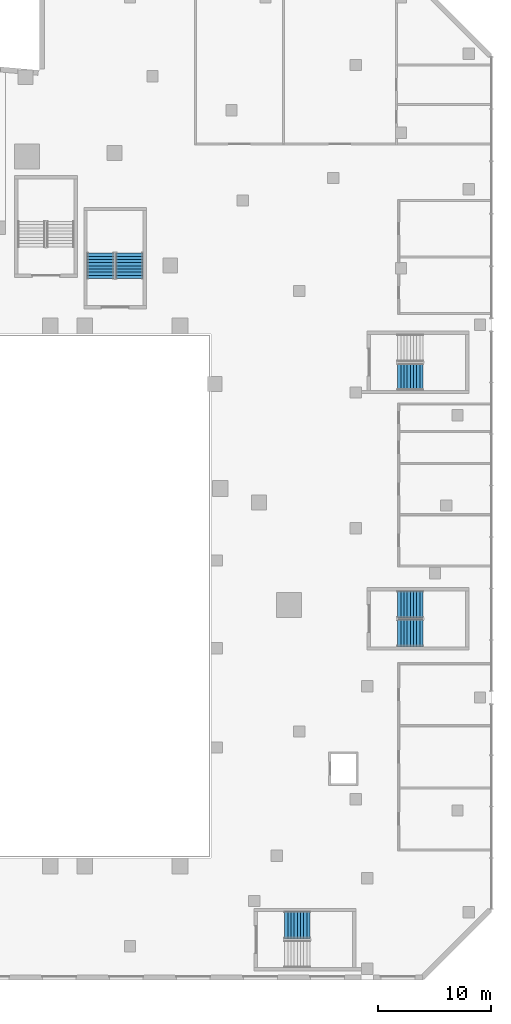
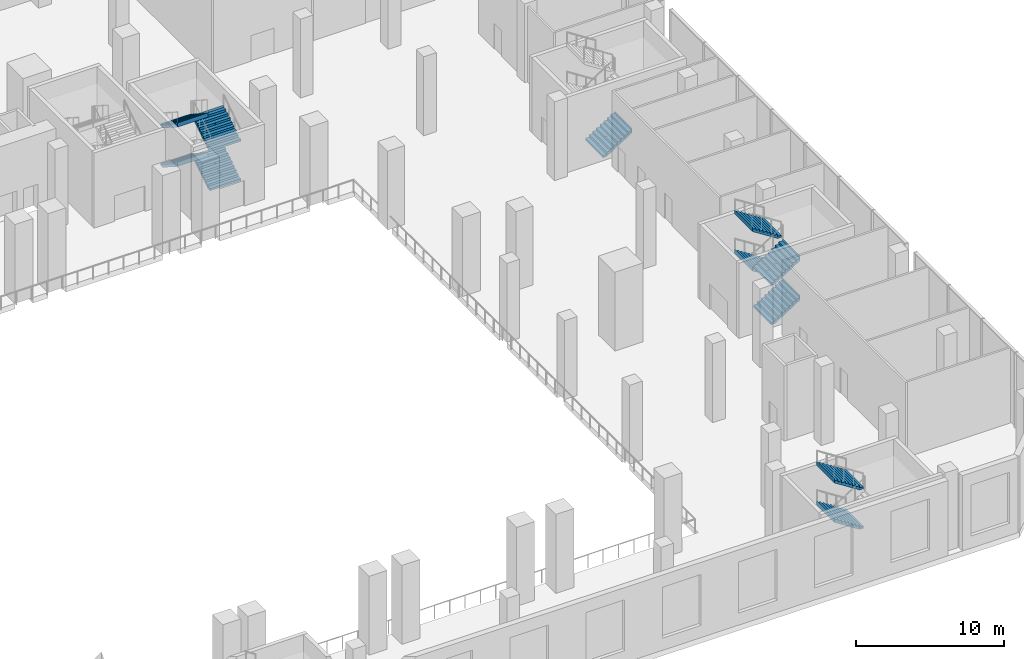
# One storey, part 20 of 30: 11 stair flights, 4 elements without a shape of their own.
"""IFC4 building model written with IfcOpenShell, lengths in metres."""

from ifc_helpers import new_model, si_unit, direction, frame, origin, place, context, subcontext, project, spatial, polyline, outline, extrude, material, type_object, element, aggregate, save


model = new_model("IFC4")

# Units and contexts
model_context = context("Model", 3, precision=1e-05, world=origin(), true_north=direction((0.0, 1.0)))
body_context = subcontext(model_context, "Body", "Model", "MODEL_VIEW")
ifc_project = project(units=[si_unit("LENGTHUNIT", "METRE"), si_unit("AREAUNIT", "SQUARE_METRE"), si_unit("VOLUMEUNIT", "CUBIC_METRE"), si_unit("PLANEANGLEUNIT", "RADIAN"), si_unit("MASSUNIT", "GRAM", prefix="KILO")], contexts=[model_context])

# Site, building, storey
site_placement = place(None, origin())
site = spatial("IfcSite", under=ifc_project, at=site_placement, CompositionType="ELEMENT")
building_placement = place(site_placement, origin())
building = spatial("IfcBuilding", under=site, at=building_placement, Name="Wharfspan Tower", CompositionType="ELEMENT")
storey_placement = place(building_placement, frame((0.0, 0.0, 15.0)))
storey = spatial("IfcBuildingStorey", under=building, at=storey_placement, Name="L02", CompositionType="ELEMENT", Elevation=15.0)

# Stair, stair flights
ifc_material = material(Name="Concrete C40/50", Category="concrete")
stair_type = type_object("IfcStairType", Name="Half-turn stair 2400 wide 36 risers 181 mm", PredefinedType="HALF_TURN_STAIR", material=ifc_material)
stair_1_placement = place(storey_placement, origin())
stair_1 = element("IfcStair", 1, at=stair_1_placement, inside=storey, type_object=stair_type, Name="L02 stair AS2", PredefinedType="HALF_TURN_STAIR")
stair_flight_type = type_object("IfcStairFlightType", Name="Stair flight 2400 wide 36 risers 181 mm", PredefinedType="STRAIGHT", material=ifc_material)
stair_flight_1_placement = place(storey_placement, frame((91.939941, -27.149902, 1.625), z_axis=(0.0, 0.0, 1.0), x_axis=(-1.0, 0.0, 0.0)))
stair_flight_1 = element("IfcStairFlight", 2, at=stair_flight_1_placement, type_object=stair_flight_type, Name="AS2 flight 2", NumberOfRisers=9, NumberOfTreads=8, PredefinedType="STRAIGHT", RiserHeight=0.180556, TreadLength=0.28, context=body_context, shape_type="SweptSolid", body=[
    extrude(outline(polyline([(-0.011963, 0.0), (-0.011963, 0.180664), (0.0, 0.180664), (0.280029, 0.180664), (0.280029, 0.361084), (0.560059, 0.361084), (0.560059, 0.541748), (0.840088, 0.541748), (0.840088, 0.722168), (1.120117, 0.722168), (1.120117, 0.902832), (1.399902, 0.902832), (1.399902, 1.083252), (1.679932, 1.083252), (1.679932, 1.263916), (1.959961, 1.263916), (1.959961, 1.444336), (2.23999, 1.444336), (2.251953, 1.625), (2.251953, 1.266113), (0.276611, 0.0), (-0.011963, 0.0)])), frame((0.0, 1.199951, 0.0), z_axis=(0.0, -1.0, 0.0), x_axis=(1.0, 0.0, 0.0)), (0.0, 0.0, 1.0), 1.179443),
    extrude(outline(polyline([(-0.011963, 0.0), (-0.011963, 0.180664), (0.0, 0.180664), (0.280029, 0.180664), (0.280029, 0.361084), (0.560059, 0.361084), (0.560059, 0.541748), (0.840088, 0.541748), (0.840088, 0.722168), (1.120117, 0.722168), (1.120117, 0.902832), (1.399902, 0.902832), (1.399902, 1.083252), (1.679932, 1.083252), (1.679932, 1.263916), (1.959961, 1.263916), (1.959961, 1.444336), (2.23999, 1.444336), (2.251953, 1.625), (2.251953, 1.266113), (0.276611, 0.0), (-0.011963, 0.0)])), frame((0.0, 0.019531, 0.0), z_axis=(0.0, -1.0, 0.0), x_axis=(1.0, 0.0, 0.0)), (0.0, 0.0, 1.0), 0.019043),
    extrude(outline(polyline([(-0.011963, 0.0), (-0.011963, 0.180664), (0.0, 0.180664), (0.280029, 0.180664), (0.280029, 0.361084), (0.560059, 0.361084), (0.560059, 0.541748), (0.840088, 0.541748), (0.840088, 0.722168), (1.120117, 0.722168), (1.120117, 0.902832), (1.399902, 0.902832), (1.399902, 1.083252), (1.679932, 1.083252), (1.679932, 1.263916), (1.959961, 1.263916), (1.959961, 1.444336), (2.23999, 1.444336), (2.251953, 1.625), (2.251953, 1.266113), (0.276611, 0.0), (-0.011963, 0.0)])), frame((0.0, -0.000488, 0.0), z_axis=(0.0, -1.0, 0.0), x_axis=(1.0, 0.0, 0.0)), (0.0, 0.0, 1.0), 0.019043),
    extrude(outline(polyline([(-0.011963, 0.0), (-0.011963, 0.180664), (0.0, 0.180664), (0.280029, 0.180664), (0.280029, 0.361084), (0.560059, 0.361084), (0.560059, 0.541748), (0.840088, 0.541748), (0.840088, 0.722168), (1.120117, 0.722168), (1.120117, 0.902832), (1.399902, 0.902832), (1.399902, 1.083252), (1.679932, 1.083252), (1.679932, 1.263916), (1.959961, 1.263916), (1.959961, 1.444336), (2.23999, 1.444336), (2.251953, 1.625), (2.251953, 1.266113), (0.276611, 0.0), (-0.011963, 0.0)])), frame((0.0, -0.020508, 0.0), z_axis=(0.0, -1.0, 0.0), x_axis=(1.0, 0.0, 0.0)), (0.0, 0.0, 1.0), 1.179443),
])
stair_flight_2_placement = place(storey_placement, frame((91.939941, -27.149902, 4.875), z_axis=(0.0, 0.0, 1.0), x_axis=(-1.0, 0.0, 0.0)))
stair_flight_2 = element("IfcStairFlight", 3, at=stair_flight_2_placement, type_object=stair_flight_type, Name="AS2 flight 4", NumberOfRisers=9, NumberOfTreads=8, PredefinedType="STRAIGHT", RiserHeight=0.180556, TreadLength=0.28, context=body_context, shape_type="SweptSolid", body=[
    extrude(outline(polyline([(-0.011963, 0.0), (-0.011963, 0.180664), (0.0, 0.180664), (0.280029, 0.180664), (0.280029, 0.361084), (0.560059, 0.361084), (0.560059, 0.541748), (0.840088, 0.541748), (0.840088, 0.722168), (1.120117, 0.722168), (1.120117, 0.902832), (1.399902, 0.902832), (1.399902, 1.083252), (1.679932, 1.083252), (1.679932, 1.263916), (1.959961, 1.263916), (1.959961, 1.444336), (2.23999, 1.444336), (2.251953, 1.625), (2.251953, 1.266113), (0.276611, 0.0), (-0.011963, 0.0)])), frame((0.0, 1.199951, 0.0), z_axis=(0.0, -1.0, 0.0), x_axis=(1.0, 0.0, 0.0)), (0.0, 0.0, 1.0), 1.179443),
    extrude(outline(polyline([(-0.011963, 0.0), (-0.011963, 0.180664), (0.0, 0.180664), (0.280029, 0.180664), (0.280029, 0.361084), (0.560059, 0.361084), (0.560059, 0.541748), (0.840088, 0.541748), (0.840088, 0.722168), (1.120117, 0.722168), (1.120117, 0.902832), (1.399902, 0.902832), (1.399902, 1.083252), (1.679932, 1.083252), (1.679932, 1.263916), (1.959961, 1.263916), (1.959961, 1.444336), (2.23999, 1.444336), (2.251953, 1.625), (2.251953, 1.266113), (0.276611, 0.0), (-0.011963, 0.0)])), frame((0.0, 0.019531, 0.0), z_axis=(0.0, -1.0, 0.0), x_axis=(1.0, 0.0, 0.0)), (0.0, 0.0, 1.0), 0.019043),
    extrude(outline(polyline([(-0.011963, 0.0), (-0.011963, 0.180664), (0.0, 0.180664), (0.280029, 0.180664), (0.280029, 0.361084), (0.560059, 0.361084), (0.560059, 0.541748), (0.840088, 0.541748), (0.840088, 0.722168), (1.120117, 0.722168), (1.120117, 0.902832), (1.399902, 0.902832), (1.399902, 1.083252), (1.679932, 1.083252), (1.679932, 1.263916), (1.959961, 1.263916), (1.959961, 1.444336), (2.23999, 1.444336), (2.251953, 1.625), (2.251953, 1.266113), (0.276611, 0.0), (-0.011963, 0.0)])), frame((0.0, -0.000488, 0.0), z_axis=(0.0, -1.0, 0.0), x_axis=(1.0, 0.0, 0.0)), (0.0, 0.0, 1.0), 0.019043),
    extrude(outline(polyline([(-0.011963, 0.0), (-0.011963, 0.180664), (0.0, 0.180664), (0.280029, 0.180664), (0.280029, 0.361084), (0.560059, 0.361084), (0.560059, 0.541748), (0.840088, 0.541748), (0.840088, 0.722168), (1.120117, 0.722168), (1.120117, 0.902832), (1.399902, 0.902832), (1.399902, 1.083252), (1.679932, 1.083252), (1.679932, 1.263916), (1.959961, 1.263916), (1.959961, 1.444336), (2.23999, 1.444336), (2.251953, 1.625), (2.251953, 1.266113), (0.276611, 0.0), (-0.011963, 0.0)])), frame((0.0, -0.020508, 0.0), z_axis=(0.0, -1.0, 0.0), x_axis=(1.0, 0.0, 0.0)), (0.0, 0.0, 1.0), 1.179443),
])
aggregate(stair_1, [stair_flight_1, stair_flight_2])

stair_2_placement = place(storey_placement, origin())
stair_2 = element("IfcStair", 4, at=stair_2_placement, inside=storey, type_object=stair_type, Name="L02 stair AS8", PredefinedType="HALF_TURN_STAIR")
stair_flight_3_placement = place(storey_placement, frame((99.699951, -1.300049, 0.0), z_axis=(0.0, 0.0, 1.0), x_axis=(1.0, 0.0, 0.0)))
stair_flight_3 = element("IfcStairFlight", 5, at=stair_flight_3_placement, type_object=stair_flight_type, Name="AS8 flight 1", NumberOfRisers=9, NumberOfTreads=8, PredefinedType="STRAIGHT", RiserHeight=0.180556, TreadLength=0.28, context=body_context, shape_type="SweptSolid", body=[
    extrude(outline(polyline([(-0.011963, 0.0), (-0.011963, 0.180664), (0.0, 0.180664), (0.280029, 0.180664), (0.280029, 0.361084), (0.560059, 0.361084), (0.560059, 0.541748), (0.840088, 0.541748), (0.840088, 0.722168), (1.120117, 0.722168), (1.120117, 0.902832), (1.399902, 0.902832), (1.399902, 1.083252), (1.679932, 1.083252), (1.679932, 1.263916), (1.959961, 1.263916), (1.959961, 1.444336), (2.23999, 1.444336), (2.251953, 1.625), (2.251953, 1.266113), (0.276611, 0.0), (-0.011963, 0.0)])), frame((0.0, 1.199951, 0.0), z_axis=(0.0, -1.0, 0.0), x_axis=(1.0, 0.0, 0.0)), (0.0, 0.0, 1.0), 1.179443),
    extrude(outline(polyline([(-0.011963, 0.0), (-0.011963, 0.180664), (0.0, 0.180664), (0.280029, 0.180664), (0.280029, 0.361084), (0.560059, 0.361084), (0.560059, 0.541748), (0.840088, 0.541748), (0.840088, 0.722168), (1.120117, 0.722168), (1.120117, 0.902832), (1.399902, 0.902832), (1.399902, 1.083252), (1.679932, 1.083252), (1.679932, 1.263916), (1.959961, 1.263916), (1.959961, 1.444336), (2.23999, 1.444336), (2.251953, 1.625), (2.251953, 1.266113), (0.276611, 0.0), (-0.011963, 0.0)])), frame((0.0, 0.019531, 0.0), z_axis=(0.0, -1.0, 0.0), x_axis=(1.0, 0.0, 0.0)), (0.0, 0.0, 1.0), 0.019043),
    extrude(outline(polyline([(-0.011963, 0.0), (-0.011963, 0.180664), (0.0, 0.180664), (0.280029, 0.180664), (0.280029, 0.361084), (0.560059, 0.361084), (0.560059, 0.541748), (0.840088, 0.541748), (0.840088, 0.722168), (1.120117, 0.722168), (1.120117, 0.902832), (1.399902, 0.902832), (1.399902, 1.083252), (1.679932, 1.083252), (1.679932, 1.263916), (1.959961, 1.263916), (1.959961, 1.444336), (2.23999, 1.444336), (2.251953, 1.625), (2.251953, 1.266113), (0.276611, 0.0), (-0.011963, 0.0)])), frame((0.0, -0.000488, 0.0), z_axis=(0.0, -1.0, 0.0), x_axis=(1.0, 0.0, 0.0)), (0.0, 0.0, 1.0), 0.019043),
    extrude(outline(polyline([(-0.011963, 0.0), (-0.011963, 0.180664), (0.0, 0.180664), (0.280029, 0.180664), (0.280029, 0.361084), (0.560059, 0.361084), (0.560059, 0.541748), (0.840088, 0.541748), (0.840088, 0.722168), (1.120117, 0.722168), (1.120117, 0.902832), (1.399902, 0.902832), (1.399902, 1.083252), (1.679932, 1.083252), (1.679932, 1.263916), (1.959961, 1.263916), (1.959961, 1.444336), (2.23999, 1.444336), (2.251953, 1.625), (2.251953, 1.266113), (0.276611, 0.0), (-0.011963, 0.0)])), frame((0.0, -0.020508, 0.0), z_axis=(0.0, -1.0, 0.0), x_axis=(1.0, 0.0, 0.0)), (0.0, 0.0, 1.0), 1.179443),
])
stair_flight_4_placement = place(storey_placement, frame((101.939941, 1.25, 1.625), z_axis=(0.0, 0.0, 1.0), x_axis=(-1.0, 0.0, 0.0)))
stair_flight_4 = element("IfcStairFlight", 6, at=stair_flight_4_placement, type_object=stair_flight_type, Name="AS8 flight 2", NumberOfRisers=9, NumberOfTreads=8, PredefinedType="STRAIGHT", RiserHeight=0.180556, TreadLength=0.28, context=body_context, shape_type="SweptSolid", body=[
    extrude(outline(polyline([(-0.011963, 0.0), (-0.011963, 0.180664), (0.0, 0.180664), (0.280029, 0.180664), (0.280029, 0.361084), (0.560059, 0.361084), (0.560059, 0.541748), (0.840088, 0.541748), (0.840088, 0.722168), (1.120117, 0.722168), (1.120117, 0.902832), (1.399902, 0.902832), (1.399902, 1.083252), (1.679932, 1.083252), (1.679932, 1.263916), (1.959961, 1.263916), (1.959961, 1.444336), (2.23999, 1.444336), (2.251953, 1.625), (2.251953, 1.266113), (0.276611, 0.0), (-0.011963, 0.0)])), frame((0.0, 1.199951, 0.0), z_axis=(0.0, -1.0, 0.0), x_axis=(1.0, 0.0, 0.0)), (0.0, 0.0, 1.0), 1.179443),
    extrude(outline(polyline([(-0.011963, 0.0), (-0.011963, 0.180664), (0.0, 0.180664), (0.280029, 0.180664), (0.280029, 0.361084), (0.560059, 0.361084), (0.560059, 0.541748), (0.840088, 0.541748), (0.840088, 0.722168), (1.120117, 0.722168), (1.120117, 0.902832), (1.399902, 0.902832), (1.399902, 1.083252), (1.679932, 1.083252), (1.679932, 1.263916), (1.959961, 1.263916), (1.959961, 1.444336), (2.23999, 1.444336), (2.251953, 1.625), (2.251953, 1.266113), (0.276611, 0.0), (-0.011963, 0.0)])), frame((0.0, 0.019531, 0.0), z_axis=(0.0, -1.0, 0.0), x_axis=(1.0, 0.0, 0.0)), (0.0, 0.0, 1.0), 0.019043),
    extrude(outline(polyline([(-0.011963, 0.0), (-0.011963, 0.180664), (0.0, 0.180664), (0.280029, 0.180664), (0.280029, 0.361084), (0.560059, 0.361084), (0.560059, 0.541748), (0.840088, 0.541748), (0.840088, 0.722168), (1.120117, 0.722168), (1.120117, 0.902832), (1.399902, 0.902832), (1.399902, 1.083252), (1.679932, 1.083252), (1.679932, 1.263916), (1.959961, 1.263916), (1.959961, 1.444336), (2.23999, 1.444336), (2.251953, 1.625), (2.251953, 1.266113), (0.276611, 0.0), (-0.011963, 0.0)])), frame((0.0, -0.000488, 0.0), z_axis=(0.0, -1.0, 0.0), x_axis=(1.0, 0.0, 0.0)), (0.0, 0.0, 1.0), 0.019043),
    extrude(outline(polyline([(-0.011963, 0.0), (-0.011963, 0.180664), (0.0, 0.180664), (0.280029, 0.180664), (0.280029, 0.361084), (0.560059, 0.361084), (0.560059, 0.541748), (0.840088, 0.541748), (0.840088, 0.722168), (1.120117, 0.722168), (1.120117, 0.902832), (1.399902, 0.902832), (1.399902, 1.083252), (1.679932, 1.083252), (1.679932, 1.263916), (1.959961, 1.263916), (1.959961, 1.444336), (2.23999, 1.444336), (2.251953, 1.625), (2.251953, 1.266113), (0.276611, 0.0), (-0.011963, 0.0)])), frame((0.0, -0.020508, 0.0), z_axis=(0.0, -1.0, 0.0), x_axis=(1.0, 0.0, 0.0)), (0.0, 0.0, 1.0), 1.179443),
])
stair_flight_5_placement = place(storey_placement, frame((99.699951, -1.300049, 3.25), z_axis=(0.0, 0.0, 1.0), x_axis=(1.0, 0.0, 0.0)))
stair_flight_5 = element("IfcStairFlight", 7, at=stair_flight_5_placement, type_object=stair_flight_type, Name="AS8 flight 3", NumberOfRisers=9, NumberOfTreads=8, PredefinedType="STRAIGHT", RiserHeight=0.180556, TreadLength=0.28, context=body_context, shape_type="SweptSolid", body=[
    extrude(outline(polyline([(-0.011963, 0.0), (-0.011963, 0.180664), (0.0, 0.180664), (0.280029, 0.180664), (0.280029, 0.361084), (0.560059, 0.361084), (0.560059, 0.541748), (0.840088, 0.541748), (0.840088, 0.722168), (1.120117, 0.722168), (1.120117, 0.902832), (1.399902, 0.902832), (1.399902, 1.083252), (1.679932, 1.083252), (1.679932, 1.263916), (1.959961, 1.263916), (1.959961, 1.444336), (2.23999, 1.444336), (2.251953, 1.625), (2.251953, 1.266113), (0.276611, 0.0), (-0.011963, 0.0)])), frame((0.0, 1.199951, 0.0), z_axis=(0.0, -1.0, 0.0), x_axis=(1.0, 0.0, 0.0)), (0.0, 0.0, 1.0), 1.179443),
    extrude(outline(polyline([(-0.011963, 0.0), (-0.011963, 0.180664), (0.0, 0.180664), (0.280029, 0.180664), (0.280029, 0.361084), (0.560059, 0.361084), (0.560059, 0.541748), (0.840088, 0.541748), (0.840088, 0.722168), (1.120117, 0.722168), (1.120117, 0.902832), (1.399902, 0.902832), (1.399902, 1.083252), (1.679932, 1.083252), (1.679932, 1.263916), (1.959961, 1.263916), (1.959961, 1.444336), (2.23999, 1.444336), (2.251953, 1.625), (2.251953, 1.266113), (0.276611, 0.0), (-0.011963, 0.0)])), frame((0.0, 0.019531, 0.0), z_axis=(0.0, -1.0, 0.0), x_axis=(1.0, 0.0, 0.0)), (0.0, 0.0, 1.0), 0.019043),
    extrude(outline(polyline([(-0.011963, 0.0), (-0.011963, 0.180664), (0.0, 0.180664), (0.280029, 0.180664), (0.280029, 0.361084), (0.560059, 0.361084), (0.560059, 0.541748), (0.840088, 0.541748), (0.840088, 0.722168), (1.120117, 0.722168), (1.120117, 0.902832), (1.399902, 0.902832), (1.399902, 1.083252), (1.679932, 1.083252), (1.679932, 1.263916), (1.959961, 1.263916), (1.959961, 1.444336), (2.23999, 1.444336), (2.251953, 1.625), (2.251953, 1.266113), (0.276611, 0.0), (-0.011963, 0.0)])), frame((0.0, -0.000488, 0.0), z_axis=(0.0, -1.0, 0.0), x_axis=(1.0, 0.0, 0.0)), (0.0, 0.0, 1.0), 0.019043),
    extrude(outline(polyline([(-0.011963, 0.0), (-0.011963, 0.180664), (0.0, 0.180664), (0.280029, 0.180664), (0.280029, 0.361084), (0.560059, 0.361084), (0.560059, 0.541748), (0.840088, 0.541748), (0.840088, 0.722168), (1.120117, 0.722168), (1.120117, 0.902832), (1.399902, 0.902832), (1.399902, 1.083252), (1.679932, 1.083252), (1.679932, 1.263916), (1.959961, 1.263916), (1.959961, 1.444336), (2.23999, 1.444336), (2.251953, 1.625), (2.251953, 1.266113), (0.276611, 0.0), (-0.011963, 0.0)])), frame((0.0, -0.020508, 0.0), z_axis=(0.0, -1.0, 0.0), x_axis=(1.0, 0.0, 0.0)), (0.0, 0.0, 1.0), 1.179443),
])
stair_flight_6_placement = place(storey_placement, frame((101.939941, 1.25, 4.875), z_axis=(0.0, 0.0, 1.0), x_axis=(-1.0, 0.0, 0.0)))
stair_flight_6 = element("IfcStairFlight", 8, at=stair_flight_6_placement, type_object=stair_flight_type, Name="AS8 flight 4", NumberOfRisers=9, NumberOfTreads=8, PredefinedType="STRAIGHT", RiserHeight=0.180556, TreadLength=0.28, context=body_context, shape_type="SweptSolid", body=[
    extrude(outline(polyline([(-0.011963, 0.0), (-0.011963, 0.180664), (0.0, 0.180664), (0.280029, 0.180664), (0.280029, 0.361084), (0.560059, 0.361084), (0.560059, 0.541748), (0.840088, 0.541748), (0.840088, 0.722168), (1.120117, 0.722168), (1.120117, 0.902832), (1.399902, 0.902832), (1.399902, 1.083252), (1.679932, 1.083252), (1.679932, 1.263916), (1.959961, 1.263916), (1.959961, 1.444336), (2.23999, 1.444336), (2.251953, 1.625), (2.251953, 1.266113), (0.276611, 0.0), (-0.011963, 0.0)])), frame((0.0, 1.199951, 0.0), z_axis=(0.0, -1.0, 0.0), x_axis=(1.0, 0.0, 0.0)), (0.0, 0.0, 1.0), 1.179443),
    extrude(outline(polyline([(-0.011963, 0.0), (-0.011963, 0.180664), (0.0, 0.180664), (0.280029, 0.180664), (0.280029, 0.361084), (0.560059, 0.361084), (0.560059, 0.541748), (0.840088, 0.541748), (0.840088, 0.722168), (1.120117, 0.722168), (1.120117, 0.902832), (1.399902, 0.902832), (1.399902, 1.083252), (1.679932, 1.083252), (1.679932, 1.263916), (1.959961, 1.263916), (1.959961, 1.444336), (2.23999, 1.444336), (2.251953, 1.625), (2.251953, 1.266113), (0.276611, 0.0), (-0.011963, 0.0)])), frame((0.0, 0.019531, 0.0), z_axis=(0.0, -1.0, 0.0), x_axis=(1.0, 0.0, 0.0)), (0.0, 0.0, 1.0), 0.019043),
    extrude(outline(polyline([(-0.011963, 0.0), (-0.011963, 0.180664), (0.0, 0.180664), (0.280029, 0.180664), (0.280029, 0.361084), (0.560059, 0.361084), (0.560059, 0.541748), (0.840088, 0.541748), (0.840088, 0.722168), (1.120117, 0.722168), (1.120117, 0.902832), (1.399902, 0.902832), (1.399902, 1.083252), (1.679932, 1.083252), (1.679932, 1.263916), (1.959961, 1.263916), (1.959961, 1.444336), (2.23999, 1.444336), (2.251953, 1.625), (2.251953, 1.266113), (0.276611, 0.0), (-0.011963, 0.0)])), frame((0.0, -0.000488, 0.0), z_axis=(0.0, -1.0, 0.0), x_axis=(1.0, 0.0, 0.0)), (0.0, 0.0, 1.0), 0.019043),
    extrude(outline(polyline([(-0.011963, 0.0), (-0.011963, 0.180664), (0.0, 0.180664), (0.280029, 0.180664), (0.280029, 0.361084), (0.560059, 0.361084), (0.560059, 0.541748), (0.840088, 0.541748), (0.840088, 0.722168), (1.120117, 0.722168), (1.120117, 0.902832), (1.399902, 0.902832), (1.399902, 1.083252), (1.679932, 1.083252), (1.679932, 1.263916), (1.959961, 1.263916), (1.959961, 1.444336), (2.23999, 1.444336), (2.251953, 1.625), (2.251953, 1.266113), (0.276611, 0.0), (-0.011963, 0.0)])), frame((0.0, -0.020508, 0.0), z_axis=(0.0, -1.0, 0.0), x_axis=(1.0, 0.0, 0.0)), (0.0, 0.0, 1.0), 1.179443),
])
aggregate(stair_2, [stair_flight_3, stair_flight_4, stair_flight_5, stair_flight_6])

# Stair, stair flight
stair_3_placement = place(storey_placement, origin())
stair_3 = element("IfcStair", 9, at=stair_3_placement, inside=storey, type_object=stair_type, Name="L02 stair AS4", PredefinedType="HALF_TURN_STAIR")
stair_flight_7_placement = place(storey_placement, frame((99.699951, 21.399902, 0.0), z_axis=(0.0, 0.0, 1.0), x_axis=(1.0, 0.0, 0.0)))
stair_flight_7 = element("IfcStairFlight", 10, at=stair_flight_7_placement, type_object=stair_flight_type, Name="AS4 flight 1", NumberOfRisers=9, NumberOfTreads=8, PredefinedType="STRAIGHT", RiserHeight=0.180556, TreadLength=0.28, context=body_context, shape_type="SweptSolid", body=[
    extrude(outline(polyline([(-0.011963, 0.0), (-0.011963, 0.180664), (0.0, 0.180664), (0.280029, 0.180664), (0.280029, 0.361084), (0.560059, 0.361084), (0.560059, 0.541748), (0.840088, 0.541748), (0.840088, 0.722168), (1.120117, 0.722168), (1.120117, 0.902832), (1.399902, 0.902832), (1.399902, 1.083252), (1.679932, 1.083252), (1.679932, 1.263916), (1.959961, 1.263916), (1.959961, 1.444336), (2.23999, 1.444336), (2.251953, 1.625), (2.251953, 1.266113), (0.276611, 0.0), (-0.011963, 0.0)])), frame((0.0, 1.199951, 0.0), z_axis=(0.0, -1.0, 0.0), x_axis=(1.0, 0.0, 0.0)), (0.0, 0.0, 1.0), 1.179443),
    extrude(outline(polyline([(-0.011963, 0.0), (-0.011963, 0.180664), (0.0, 0.180664), (0.280029, 0.180664), (0.280029, 0.361084), (0.560059, 0.361084), (0.560059, 0.541748), (0.840088, 0.541748), (0.840088, 0.722168), (1.120117, 0.722168), (1.120117, 0.902832), (1.399902, 0.902832), (1.399902, 1.083252), (1.679932, 1.083252), (1.679932, 1.263916), (1.959961, 1.263916), (1.959961, 1.444336), (2.23999, 1.444336), (2.251953, 1.625), (2.251953, 1.266113), (0.276611, 0.0), (-0.011963, 0.0)])), frame((0.0, 0.019531, 0.0), z_axis=(0.0, -1.0, 0.0), x_axis=(1.0, 0.0, 0.0)), (0.0, 0.0, 1.0), 0.019043),
    extrude(outline(polyline([(-0.011963, 0.0), (-0.011963, 0.180664), (0.0, 0.180664), (0.280029, 0.180664), (0.280029, 0.361084), (0.560059, 0.361084), (0.560059, 0.541748), (0.840088, 0.541748), (0.840088, 0.722168), (1.120117, 0.722168), (1.120117, 0.902832), (1.399902, 0.902832), (1.399902, 1.083252), (1.679932, 1.083252), (1.679932, 1.263916), (1.959961, 1.263916), (1.959961, 1.444336), (2.23999, 1.444336), (2.251953, 1.625), (2.251953, 1.266113), (0.276611, 0.0), (-0.011963, 0.0)])), frame((0.0, -0.000488, 0.0), z_axis=(0.0, -1.0, 0.0), x_axis=(1.0, 0.0, 0.0)), (0.0, 0.0, 1.0), 0.019043),
    extrude(outline(polyline([(-0.011963, 0.0), (-0.011963, 0.180664), (0.0, 0.180664), (0.280029, 0.180664), (0.280029, 0.361084), (0.560059, 0.361084), (0.560059, 0.541748), (0.840088, 0.541748), (0.840088, 0.722168), (1.120117, 0.722168), (1.120117, 0.902832), (1.399902, 0.902832), (1.399902, 1.083252), (1.679932, 1.083252), (1.679932, 1.263916), (1.959961, 1.263916), (1.959961, 1.444336), (2.23999, 1.444336), (2.251953, 1.625), (2.251953, 1.266113), (0.276611, 0.0), (-0.011963, 0.0)])), frame((0.0, -0.020508, 0.0), z_axis=(0.0, -1.0, 0.0), x_axis=(1.0, 0.0, 0.0)), (0.0, 0.0, 1.0), 1.179443),
])
aggregate(stair_3, [stair_flight_7])

# Stair, stair flights
stair_4_placement = place(storey_placement, origin())
stair_4 = element("IfcStair", 11, at=stair_4_placement, inside=storey, type_object=stair_type, Name="L02 stair PS5", PredefinedType="HALF_TURN_STAIR")
stair_flight_8_placement = place(storey_placement, frame((75.967529, 30.100098, 0.0), z_axis=(0.0, 0.0, 1.0), x_axis=(0.0, 1.0, 0.0)))
stair_flight_8 = element("IfcStairFlight", 12, at=stair_flight_8_placement, type_object=stair_flight_type, Name="PS5 flight 1", NumberOfRisers=9, NumberOfTreads=8, PredefinedType="STRAIGHT", RiserHeight=0.180556, TreadLength=0.28, context=body_context, shape_type="SweptSolid", body=[
    extrude(outline(polyline([(-0.011963, 0.0), (-0.011963, 0.180664), (0.0, 0.180664), (0.280029, 0.180664), (0.280029, 0.361084), (0.560059, 0.361084), (0.560059, 0.541748), (0.840088, 0.541748), (0.840088, 0.722168), (1.120117, 0.722168), (1.120117, 0.902832), (1.399902, 0.902832), (1.399902, 1.083252), (1.679932, 1.083252), (1.679932, 1.263916), (1.959961, 1.263916), (1.959961, 1.444336), (2.23999, 1.444336), (2.251953, 1.625), (2.251953, 1.266113), (0.276611, 0.0), (-0.011963, 0.0)])), frame((0.0, 1.199951, 0.0), z_axis=(0.0, -1.0, 0.0), x_axis=(1.0, 0.0, 0.0)), (0.0, 0.0, 1.0), 1.179443),
    extrude(outline(polyline([(-0.011963, 0.0), (-0.011963, 0.180664), (0.0, 0.180664), (0.280029, 0.180664), (0.280029, 0.361084), (0.560059, 0.361084), (0.560059, 0.541748), (0.840088, 0.541748), (0.840088, 0.722168), (1.120117, 0.722168), (1.120117, 0.902832), (1.399902, 0.902832), (1.399902, 1.083252), (1.679932, 1.083252), (1.679932, 1.263916), (1.959961, 1.263916), (1.959961, 1.444336), (2.23999, 1.444336), (2.251953, 1.625), (2.251953, 1.266113), (0.276611, 0.0), (-0.011963, 0.0)])), frame((0.0, 0.019531, 0.0), z_axis=(0.0, -1.0, 0.0), x_axis=(1.0, 0.0, 0.0)), (0.0, 0.0, 1.0), 0.019043),
    extrude(outline(polyline([(-0.011963, 0.0), (-0.011963, 0.180664), (0.0, 0.180664), (0.280029, 0.180664), (0.280029, 0.361084), (0.560059, 0.361084), (0.560059, 0.541748), (0.840088, 0.541748), (0.840088, 0.722168), (1.120117, 0.722168), (1.120117, 0.902832), (1.399902, 0.902832), (1.399902, 1.083252), (1.679932, 1.083252), (1.679932, 1.263916), (1.959961, 1.263916), (1.959961, 1.444336), (2.23999, 1.444336), (2.251953, 1.625), (2.251953, 1.266113), (0.276611, 0.0), (-0.011963, 0.0)])), frame((0.0, -0.000488, 0.0), z_axis=(0.0, -1.0, 0.0), x_axis=(1.0, 0.0, 0.0)), (0.0, 0.0, 1.0), 0.019043),
    extrude(outline(polyline([(-0.011963, 0.0), (-0.011963, 0.180664), (0.0, 0.180664), (0.280029, 0.180664), (0.280029, 0.361084), (0.560059, 0.361084), (0.560059, 0.541748), (0.840088, 0.541748), (0.840088, 0.722168), (1.120117, 0.722168), (1.120117, 0.902832), (1.399902, 0.902832), (1.399902, 1.083252), (1.679932, 1.083252), (1.679932, 1.263916), (1.959961, 1.263916), (1.959961, 1.444336), (2.23999, 1.444336), (2.251953, 1.625), (2.251953, 1.266113), (0.276611, 0.0), (-0.011963, 0.0)])), frame((0.0, -0.020508, 0.0), z_axis=(0.0, -1.0, 0.0), x_axis=(1.0, 0.0, 0.0)), (0.0, 0.0, 1.0), 1.179443),
])
stair_flight_9_placement = place(storey_placement, frame((73.41748, 32.340088, 1.625), z_axis=(0.0, 0.0, 1.0), x_axis=(0.0, -1.0, 0.0)))
stair_flight_9 = element("IfcStairFlight", 13, at=stair_flight_9_placement, type_object=stair_flight_type, Name="PS5 flight 2", NumberOfRisers=9, NumberOfTreads=8, PredefinedType="STRAIGHT", RiserHeight=0.180556, TreadLength=0.28, context=body_context, shape_type="SweptSolid", body=[
    extrude(outline(polyline([(-0.011963, 0.0), (-0.011963, 0.180664), (0.0, 0.180664), (0.280029, 0.180664), (0.280029, 0.361084), (0.560059, 0.361084), (0.560059, 0.541748), (0.840088, 0.541748), (0.840088, 0.722168), (1.120117, 0.722168), (1.120117, 0.902832), (1.399902, 0.902832), (1.399902, 1.083252), (1.679932, 1.083252), (1.679932, 1.263916), (1.959961, 1.263916), (1.959961, 1.444336), (2.23999, 1.444336), (2.251953, 1.625), (2.251953, 1.266113), (0.276611, 0.0), (-0.011963, 0.0)])), frame((0.0, 1.199951, 0.0), z_axis=(0.0, -1.0, 0.0), x_axis=(1.0, 0.0, 0.0)), (0.0, 0.0, 1.0), 1.179443),
    extrude(outline(polyline([(-0.011963, 0.0), (-0.011963, 0.180664), (0.0, 0.180664), (0.280029, 0.180664), (0.280029, 0.361084), (0.560059, 0.361084), (0.560059, 0.541748), (0.840088, 0.541748), (0.840088, 0.722168), (1.120117, 0.722168), (1.120117, 0.902832), (1.399902, 0.902832), (1.399902, 1.083252), (1.679932, 1.083252), (1.679932, 1.263916), (1.959961, 1.263916), (1.959961, 1.444336), (2.23999, 1.444336), (2.251953, 1.625), (2.251953, 1.266113), (0.276611, 0.0), (-0.011963, 0.0)])), frame((0.0, 0.019531, 0.0), z_axis=(0.0, -1.0, 0.0), x_axis=(1.0, 0.0, 0.0)), (0.0, 0.0, 1.0), 0.019043),
    extrude(outline(polyline([(-0.011963, 0.0), (-0.011963, 0.180664), (0.0, 0.180664), (0.280029, 0.180664), (0.280029, 0.361084), (0.560059, 0.361084), (0.560059, 0.541748), (0.840088, 0.541748), (0.840088, 0.722168), (1.120117, 0.722168), (1.120117, 0.902832), (1.399902, 0.902832), (1.399902, 1.083252), (1.679932, 1.083252), (1.679932, 1.263916), (1.959961, 1.263916), (1.959961, 1.444336), (2.23999, 1.444336), (2.251953, 1.625), (2.251953, 1.266113), (0.276611, 0.0), (-0.011963, 0.0)])), frame((0.0, -0.000488, 0.0), z_axis=(0.0, -1.0, 0.0), x_axis=(1.0, 0.0, 0.0)), (0.0, 0.0, 1.0), 0.019043),
    extrude(outline(polyline([(-0.011963, 0.0), (-0.011963, 0.180664), (0.0, 0.180664), (0.280029, 0.180664), (0.280029, 0.361084), (0.560059, 0.361084), (0.560059, 0.541748), (0.840088, 0.541748), (0.840088, 0.722168), (1.120117, 0.722168), (1.120117, 0.902832), (1.399902, 0.902832), (1.399902, 1.083252), (1.679932, 1.083252), (1.679932, 1.263916), (1.959961, 1.263916), (1.959961, 1.444336), (2.23999, 1.444336), (2.251953, 1.625), (2.251953, 1.266113), (0.276611, 0.0), (-0.011963, 0.0)])), frame((0.0, -0.020508, 0.0), z_axis=(0.0, -1.0, 0.0), x_axis=(1.0, 0.0, 0.0)), (0.0, 0.0, 1.0), 1.179443),
])
stair_flight_10_placement = place(storey_placement, frame((75.967529, 30.100098, 3.25), z_axis=(0.0, 0.0, 1.0), x_axis=(0.0, 1.0, 0.0)))
stair_flight_10 = element("IfcStairFlight", 14, at=stair_flight_10_placement, type_object=stair_flight_type, Name="PS5 flight 3", NumberOfRisers=9, NumberOfTreads=8, PredefinedType="STRAIGHT", RiserHeight=0.180556, TreadLength=0.28, context=body_context, shape_type="SweptSolid", body=[
    extrude(outline(polyline([(-0.011963, 0.0), (-0.011963, 0.180664), (0.0, 0.180664), (0.280029, 0.180664), (0.280029, 0.361084), (0.560059, 0.361084), (0.560059, 0.541748), (0.840088, 0.541748), (0.840088, 0.722168), (1.120117, 0.722168), (1.120117, 0.902832), (1.399902, 0.902832), (1.399902, 1.083252), (1.679932, 1.083252), (1.679932, 1.263916), (1.959961, 1.263916), (1.959961, 1.444336), (2.23999, 1.444336), (2.251953, 1.625), (2.251953, 1.266113), (0.276611, 0.0), (-0.011963, 0.0)])), frame((0.0, 1.199951, 0.0), z_axis=(0.0, -1.0, 0.0), x_axis=(1.0, 0.0, 0.0)), (0.0, 0.0, 1.0), 1.179443),
    extrude(outline(polyline([(-0.011963, 0.0), (-0.011963, 0.180664), (0.0, 0.180664), (0.280029, 0.180664), (0.280029, 0.361084), (0.560059, 0.361084), (0.560059, 0.541748), (0.840088, 0.541748), (0.840088, 0.722168), (1.120117, 0.722168), (1.120117, 0.902832), (1.399902, 0.902832), (1.399902, 1.083252), (1.679932, 1.083252), (1.679932, 1.263916), (1.959961, 1.263916), (1.959961, 1.444336), (2.23999, 1.444336), (2.251953, 1.625), (2.251953, 1.266113), (0.276611, 0.0), (-0.011963, 0.0)])), frame((0.0, 0.019531, 0.0), z_axis=(0.0, -1.0, 0.0), x_axis=(1.0, 0.0, 0.0)), (0.0, 0.0, 1.0), 0.019043),
    extrude(outline(polyline([(-0.011963, 0.0), (-0.011963, 0.180664), (0.0, 0.180664), (0.280029, 0.180664), (0.280029, 0.361084), (0.560059, 0.361084), (0.560059, 0.541748), (0.840088, 0.541748), (0.840088, 0.722168), (1.120117, 0.722168), (1.120117, 0.902832), (1.399902, 0.902832), (1.399902, 1.083252), (1.679932, 1.083252), (1.679932, 1.263916), (1.959961, 1.263916), (1.959961, 1.444336), (2.23999, 1.444336), (2.251953, 1.625), (2.251953, 1.266113), (0.276611, 0.0), (-0.011963, 0.0)])), frame((0.0, -0.000488, 0.0), z_axis=(0.0, -1.0, 0.0), x_axis=(1.0, 0.0, 0.0)), (0.0, 0.0, 1.0), 0.019043),
    extrude(outline(polyline([(-0.011963, 0.0), (-0.011963, 0.180664), (0.0, 0.180664), (0.280029, 0.180664), (0.280029, 0.361084), (0.560059, 0.361084), (0.560059, 0.541748), (0.840088, 0.541748), (0.840088, 0.722168), (1.120117, 0.722168), (1.120117, 0.902832), (1.399902, 0.902832), (1.399902, 1.083252), (1.679932, 1.083252), (1.679932, 1.263916), (1.959961, 1.263916), (1.959961, 1.444336), (2.23999, 1.444336), (2.251953, 1.625), (2.251953, 1.266113), (0.276611, 0.0), (-0.011963, 0.0)])), frame((0.0, -0.020508, 0.0), z_axis=(0.0, -1.0, 0.0), x_axis=(1.0, 0.0, 0.0)), (0.0, 0.0, 1.0), 1.179443),
])
stair_flight_11_placement = place(storey_placement, frame((73.41748, 32.340088, 4.875), z_axis=(0.0, 0.0, 1.0), x_axis=(0.0, -1.0, 0.0)))
stair_flight_11 = element("IfcStairFlight", 15, at=stair_flight_11_placement, type_object=stair_flight_type, Name="PS5 flight 4", NumberOfRisers=9, NumberOfTreads=8, PredefinedType="STRAIGHT", RiserHeight=0.180556, TreadLength=0.28, context=body_context, shape_type="SweptSolid", body=[
    extrude(outline(polyline([(-0.011963, 0.0), (-0.011963, 0.180664), (0.0, 0.180664), (0.280029, 0.180664), (0.280029, 0.361084), (0.560059, 0.361084), (0.560059, 0.541748), (0.840088, 0.541748), (0.840088, 0.722168), (1.120117, 0.722168), (1.120117, 0.902832), (1.399902, 0.902832), (1.399902, 1.083252), (1.679932, 1.083252), (1.679932, 1.263916), (1.959961, 1.263916), (1.959961, 1.444336), (2.23999, 1.444336), (2.251953, 1.625), (2.251953, 1.266113), (0.276611, 0.0), (-0.011963, 0.0)])), frame((0.0, 1.199951, 0.0), z_axis=(0.0, -1.0, 0.0), x_axis=(1.0, 0.0, 0.0)), (0.0, 0.0, 1.0), 1.179443),
    extrude(outline(polyline([(-0.011963, 0.0), (-0.011963, 0.180664), (0.0, 0.180664), (0.280029, 0.180664), (0.280029, 0.361084), (0.560059, 0.361084), (0.560059, 0.541748), (0.840088, 0.541748), (0.840088, 0.722168), (1.120117, 0.722168), (1.120117, 0.902832), (1.399902, 0.902832), (1.399902, 1.083252), (1.679932, 1.083252), (1.679932, 1.263916), (1.959961, 1.263916), (1.959961, 1.444336), (2.23999, 1.444336), (2.251953, 1.625), (2.251953, 1.266113), (0.276611, 0.0), (-0.011963, 0.0)])), frame((0.0, 0.019531, 0.0), z_axis=(0.0, -1.0, 0.0), x_axis=(1.0, 0.0, 0.0)), (0.0, 0.0, 1.0), 0.019043),
    extrude(outline(polyline([(-0.011963, 0.0), (-0.011963, 0.180664), (0.0, 0.180664), (0.280029, 0.180664), (0.280029, 0.361084), (0.560059, 0.361084), (0.560059, 0.541748), (0.840088, 0.541748), (0.840088, 0.722168), (1.120117, 0.722168), (1.120117, 0.902832), (1.399902, 0.902832), (1.399902, 1.083252), (1.679932, 1.083252), (1.679932, 1.263916), (1.959961, 1.263916), (1.959961, 1.444336), (2.23999, 1.444336), (2.251953, 1.625), (2.251953, 1.266113), (0.276611, 0.0), (-0.011963, 0.0)])), frame((0.0, -0.000488, 0.0), z_axis=(0.0, -1.0, 0.0), x_axis=(1.0, 0.0, 0.0)), (0.0, 0.0, 1.0), 0.019043),
    extrude(outline(polyline([(-0.011963, 0.0), (-0.011963, 0.180664), (0.0, 0.180664), (0.280029, 0.180664), (0.280029, 0.361084), (0.560059, 0.361084), (0.560059, 0.541748), (0.840088, 0.541748), (0.840088, 0.722168), (1.120117, 0.722168), (1.120117, 0.902832), (1.399902, 0.902832), (1.399902, 1.083252), (1.679932, 1.083252), (1.679932, 1.263916), (1.959961, 1.263916), (1.959961, 1.444336), (2.23999, 1.444336), (2.251953, 1.625), (2.251953, 1.266113), (0.276611, 0.0), (-0.011963, 0.0)])), frame((0.0, -0.020508, 0.0), z_axis=(0.0, -1.0, 0.0), x_axis=(1.0, 0.0, 0.0)), (0.0, 0.0, 1.0), 1.179443),
])
aggregate(stair_4, [stair_flight_8, stair_flight_9, stair_flight_10, stair_flight_11])

save(model, "model.ifc")
